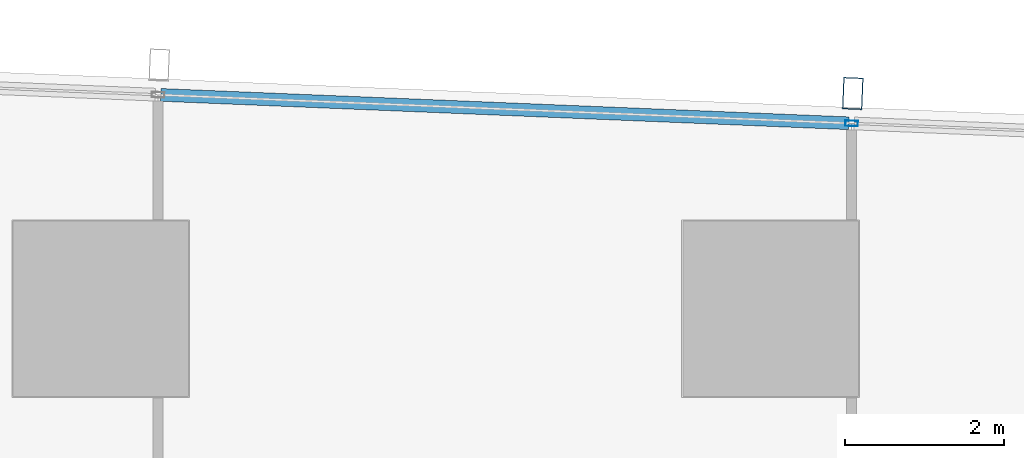
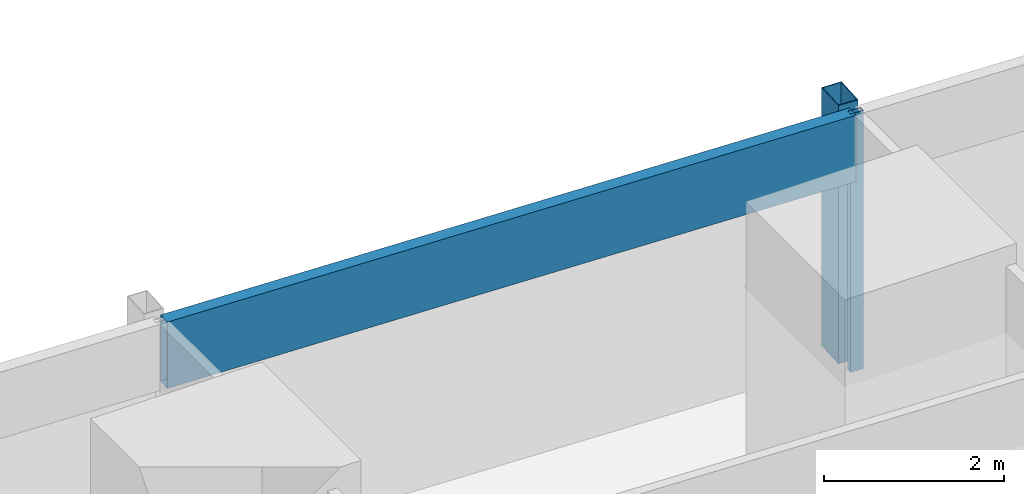
# One storey, part 22 of 44: 3 members, 1 element without a shape of its own.
"""IFC4 building model written with IfcOpenShell, lengths in metres."""

from ifc_helpers import new_model, si_unit, direction, frame, origin, origin_2d, place, context, subcontext, project, spatial, hollow_rectangle, extrude, material, material_profile, profile_set, type_object, element, aggregate, save


model = new_model("IFC4")

# Units and contexts
model_context = context("Model", 3, precision=1e-05, world=origin(), true_north=direction((0.0, 1.0)))
body_context = subcontext(model_context, "Body", "Model", "MODEL_VIEW")
ifc_project = project(units=[si_unit("LENGTHUNIT", "METRE"), si_unit("AREAUNIT", "SQUARE_METRE"), si_unit("VOLUMEUNIT", "CUBIC_METRE"), si_unit("PLANEANGLEUNIT", "RADIAN"), si_unit("MASSUNIT", "GRAM", prefix="KILO")], contexts=[model_context])

# Site, building, storey
site_placement = place(None, origin())
site = spatial("IfcSite", under=ifc_project, at=site_placement, CompositionType="ELEMENT")
building_placement = place(site_placement, origin())
building = spatial("IfcBuilding", under=site, at=building_placement, Name="Rekha Terrace Tower", CompositionType="ELEMENT")
storey_placement = place(building_placement, frame((0.0, 0.0, 74.14990234375)))
storey = spatial("IfcBuildingStorey", under=building, at=storey_placement, Name="L18", CompositionType="ELEMENT", Elevation=74.14990234375)

# Curtain wall, members
ifc_material_1 = material(Name="Aluminium framing", Category="aluminium")
curtain_wall_type = type_object("IfcCurtainWallType", Name="CW3 north unitised glazing", PredefinedType="USERDEFINED", material=ifc_material_1)
curtain_wall_placement = place(storey_placement, origin())
curtain_wall = element("IfcCurtainWall", 1, at=curtain_wall_placement, inside=storey, type_object=curtain_wall_type, Name="CW3 unitised curtain wall", ObjectType="UNITISED CURTAIN WALL", PredefinedType="USERDEFINED")
ifc_material_2 = material(Name="Steel S355 with fluorocarbon finish", Category="steel")
ifc_material_profile_1 = material_profile(ifc_material_2, hollow_rectangle(XDim=0.25, YDim=0.39990234375, WallThickness=0.012451171875, at=origin_2d()), Name="RHS400x250x12.5")
ifc_profile_set_1 = profile_set([ifc_material_profile_1], Name="Steel S355 with fluorocarbon finish")
member_type_1 = type_object("IfcMemberType", Name="BL1 facade blade RHS 400 x 250", PredefinedType="USERDEFINED", material=ifc_profile_set_1)
member_1_placement = place(storey_placement, frame((51.430419921875, 61.499267578125, 0.0), z_axis=(0.0, 0.0, 1.0), x_axis=(-0.99915196507, 0.041174636562, 0.0)))
member_1 = element("IfcMember", 2, at=member_1_placement, type_object=member_type_1, Name="Facade blade", ObjectType="FACADE BLADE", PredefinedType="USERDEFINED", context=body_context, shape_type="SweptSolid", body=[
    extrude(hollow_rectangle(XDim=0.25, YDim=0.39990234375, WallThickness=0.012451171875, at=origin_2d()), origin(), (0.0, 0.0, 1.0), 3.5),
])
ifc_material_3 = material(Name="Aluminium mullion section", Category="aluminium")
ifc_material_profile_2 = material_profile(ifc_material_3, hollow_rectangle(XDim=0.070068359375, YDim=0.159912109375, WallThickness=0.00390625, at=origin_2d()), Name="AL RHS 70x160")
ifc_profile_set_2 = profile_set([ifc_material_profile_2], Name="Aluminium mullion section")
member_type_2 = type_object("IfcMemberType", Name="CW3 mullion RHS 70 x 160", PredefinedType="MULLION", material=ifc_profile_set_2)
member_2_placement = place(storey_placement, frame((51.4150390625, 61.12451171875, 0.0), z_axis=(0.0, 0.0, 1.0), x_axis=(-0.041173846041, -0.999151997647, 0.0)))
member_2 = element("IfcMember", 3, at=member_2_placement, type_object=member_type_2, Name="CW3 mullion 3", PredefinedType="MULLION", context=body_context, shape_type="SweptSolid", body=[
    extrude(hollow_rectangle(XDim=0.070068359375, YDim=0.159912109375, WallThickness=0.00390625, at=origin_2d()), origin(), (0.0, 0.0, 1.0), 3.5),
])
ifc_material_4 = material(Name="Insulated aluminium spandrel box", Category="aluminium")
ifc_material_profile_3 = material_profile(ifc_material_4, hollow_rectangle(XDim=0.159912109375, YDim=0.89990234375, WallThickness=0.0029296875, at=origin_2d()), Name="AL SPANDREL BOX 160x900")
ifc_profile_set_3 = profile_set([ifc_material_profile_3], Name="Insulated aluminium spandrel box")
member_type_3 = type_object("IfcMemberType", Name="CW3 spandrel transom 160 x 900", PredefinedType="USERDEFINED", material=ifc_profile_set_3)
member_3_placement = place(storey_placement, frame((51.380126953125, 61.1259765625, 3.050048828125), z_axis=(-0.999152128669, 0.041170666459, 0.0), x_axis=(-0.041170666459, -0.999152128669, 0.0)))
member_3 = element("IfcMember", 4, at=member_3_placement, type_object=member_type_3, Name="CW3 spandrel transom 3", ObjectType="TRANSOM", PredefinedType="USERDEFINED", context=body_context, shape_type="SweptSolid", body=[
    extrude(hollow_rectangle(XDim=0.159912109375, YDim=0.89990234375, WallThickness=0.0029296875, at=origin_2d()), origin(), (0.0, 0.0, 1.0), 8.634033203125),
])
aggregate(curtain_wall, [member_2, member_3, member_1])

save(model, "model.ifc")
